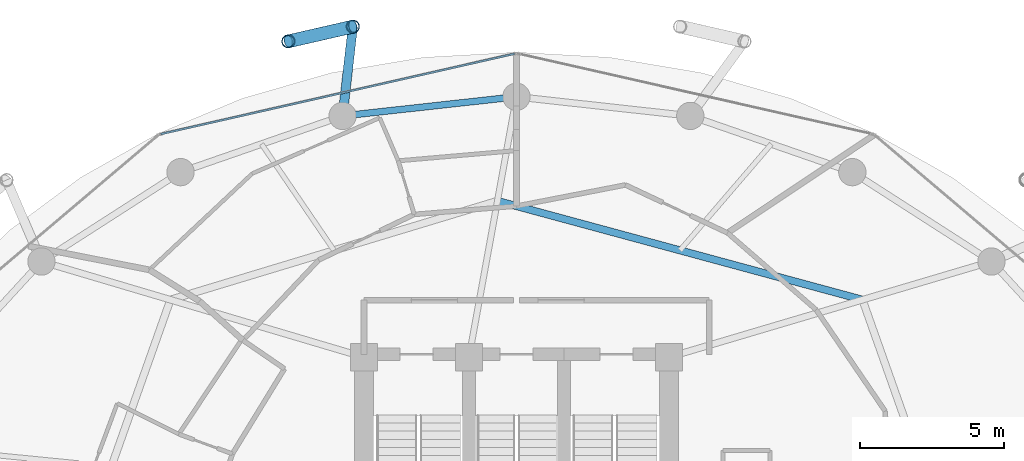
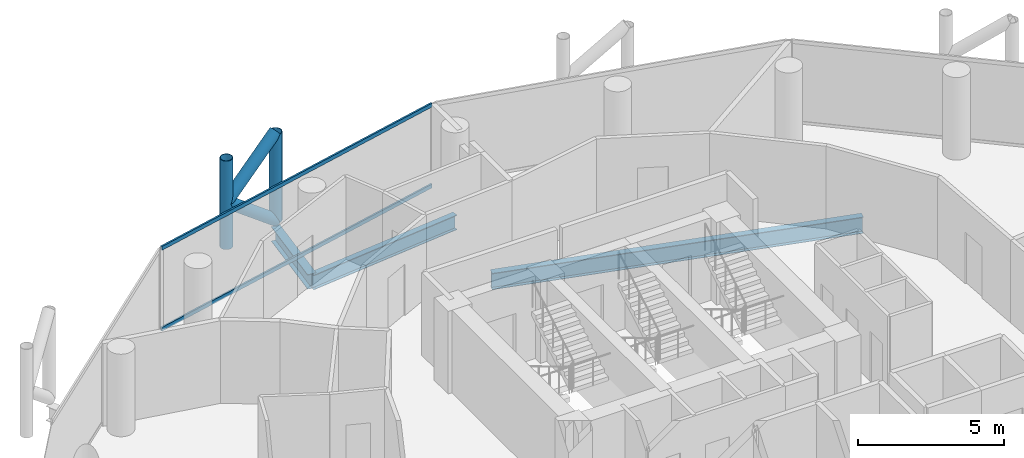
# One storey, part 16 of 26: 6 members, 3 beams, 1 element without a shape of its own.
"""IFC4 building model written with IfcOpenShell, lengths in metres."""

from ifc_helpers import new_model, si_unit, direction, frame, origin, origin_2d, place, context, subcontext, project, spatial, hollow_rectangle, hollow_circle, i_section, extrude, material, layer, layer_set, material_profile, profile_set, type_object, element, aggregate, save


model = new_model("IFC4")

# Units and contexts
model_context = context("Model", 3, precision=1e-05, world=origin(), true_north=direction((0.0, 1.0)))
body_context = subcontext(model_context, "Body", "Model", "MODEL_VIEW")
ifc_project = project(units=[si_unit("LENGTHUNIT", "METRE"), si_unit("AREAUNIT", "SQUARE_METRE"), si_unit("VOLUMEUNIT", "CUBIC_METRE"), si_unit("PLANEANGLEUNIT", "RADIAN"), si_unit("MASSUNIT", "GRAM", prefix="KILO")], contexts=[model_context])

# Site, building, storey
site_placement = place(None, origin())
site = spatial("IfcSite", under=ifc_project, at=site_placement, CompositionType="ELEMENT")
building_placement = place(site_placement, origin())
building = spatial("IfcBuilding", under=site, at=building_placement, Name="Nuhasar Tower", CompositionType="ELEMENT")
storey_placement = place(building_placement, frame((0.0, 0.0, 133.050048828125)))
storey = spatial("IfcBuildingStorey", under=building, at=storey_placement, Name="L31", CompositionType="ELEMENT", Elevation=133.050048828125)

# Beams
ifc_material_1 = material(Name="Steel S355", Category="steel")
ifc_material_profile_1 = material_profile(ifc_material_1, i_section(OverallWidth=0.25390625, OverallDepth=0.68408203125, WebThickness=0.012451171875, FlangeThickness=0.018798828125, at=origin_2d()), Name="W27X94")
ifc_profile_set_1 = profile_set([ifc_material_profile_1], Name="Steel S355")
beam_type_1 = type_object("IfcBeamType", Name="BM-INRING-W27X94", PredefinedType="BEAM", material=ifc_profile_set_1)
beam_1_placement = place(storey_placement, frame((51.027099609375, 39.2939453125, -0.592041015625), z_axis=(-0.96522695776, 0.261413312618, 0.0), x_axis=(-0.261413312618, -0.96522695776, 0.0)))
element("IfcBeam", 1, at=beam_1_placement, inside=storey, type_object=beam_type_1, Name="L31 Inner Header Beam 05", PredefinedType="BEAM", context=body_context, shape_type="SweptSolid", body=[
    extrude(i_section(OverallWidth=0.25390625, OverallDepth=0.68408203125, WebThickness=0.012451171875, FlangeThickness=0.018798828125, at=origin_2d()), origin(), (0.0, 0.0, 1.0), 13.14404296875),
])
ifc_material_profile_2 = material_profile(ifc_material_1, i_section(OverallWidth=0.22998046875, OverallDepth=0.616943359375, WebThickness=0.01318359375, FlangeThickness=0.022216796875, at=origin_2d()), Name="W24X94")
ifc_profile_set_2 = profile_set([ifc_material_profile_2], Name="Steel S355")
beam_type_2 = type_object("IfcBeamType", Name="BM-RING-W24X94", PredefinedType="SPANDREL", material=ifc_profile_set_2)
beam_2_placement = place(storey_placement, frame((39.0, 46.35009765625, -0.55810546875), z_axis=(-0.993981289157, -0.109549974015, 0.0), x_axis=(0.109549974015, -0.993981289157, 0.0)))
element("IfcBeam", 2, at=beam_2_placement, inside=storey, type_object=beam_type_2, Name="L31 Perimeter Ring Spandrel 07", PredefinedType="SPANDREL", context=body_context, shape_type="SweptSolid", body=[
    extrude(i_section(OverallWidth=0.22998046875, OverallDepth=0.616943359375, WebThickness=0.01318359375, FlangeThickness=0.022216796875, at=origin_2d()), origin(), (0.0, 0.0, 1.0), 6.07958984375),
])
ifc_material_profile_3 = material_profile(ifc_material_1, i_section(OverallWidth=0.323974609375, OverallDepth=0.611083984375, WebThickness=0.0126953125, FlangeThickness=0.01904296875, at=origin_2d()), Name="W24X104")
ifc_profile_set_3 = profile_set([ifc_material_profile_3], Name="Steel S355")
beam_type_3 = type_object("IfcBeamType", Name="BM-TIE-W24X104", PredefinedType="BEAM", material=ifc_profile_set_3)
beam_3_placement = place(storey_placement, frame((32.95703125, 45.68408203125, -0.554931640625), z_axis=(0.114167639647, 0.993461499031, 0.0), x_axis=(-0.993461499031, 0.114167639647, 0.0)))
element("IfcBeam", 3, at=beam_3_placement, inside=storey, type_object=beam_type_3, Name="L31 Exoskeleton Node Tie Beam 04", PredefinedType="BEAM", context=body_context, shape_type="SweptSolid", body=[
    extrude(i_section(OverallWidth=0.323974609375, OverallDepth=0.611083984375, WebThickness=0.0126953125, FlangeThickness=0.01904296875, at=origin_2d()), origin(), (0.0, 0.0, 1.0), 3.12646484375),
])

# Curtain wall, members
ifc_material_2 = material(Name="Aluminium 6063-T6", Category="aluminium")
ifc_layer = layer(ifc_material_2, 0.199951171875)
ifc_layer_set = layer_set([ifc_layer], Name="Aluminium 6063-T6")
curtain_wall_type = type_object("IfcCurtainWallType", Name="CW-Z2-HTL", PredefinedType="NOTDEFINED", material=ifc_layer_set)
curtain_wall_placement = place(storey_placement, origin())
curtain_wall = element("IfcCurtainWall", 4, at=curtain_wall_placement, inside=storey, type_object=curtain_wall_type, Name="L31 Unitised Curtain Wall 04", PredefinedType="NOTDEFINED")
ifc_material_profile_4 = material_profile(ifc_material_2, hollow_rectangle(XDim=0.070068359375, YDim=0.159912109375, WallThickness=0.00439453125, at=origin_2d()), Name="CWT-3")
ifc_profile_set_4 = profile_set([ifc_material_profile_4], Name="Aluminium 6063-T6")
member_type_1 = type_object("IfcMemberType", Name="CW-TRN-S3", PredefinedType="USERDEFINED", material=ifc_profile_set_4)
member_1_placement = place(storey_placement, frame((38.931640625, 47.844482421875, 0.034912109375), z_axis=(-0.975183434528, -0.221398439519, 0.0), x_axis=(0.221398439519, -0.975183434528, 0.0)))
member_1 = element("IfcMember", 5, at=member_1_placement, type_object=member_type_1, Name="CW-Z2 transom 1.1", ObjectType="TRANSOM", PredefinedType="USERDEFINED", context=body_context, shape_type="SweptSolid", body=[
    extrude(hollow_rectangle(XDim=0.070068359375, YDim=0.159912109375, WallThickness=0.00439453125, at=origin_2d()), origin(), (0.0, 0.0, 1.0), 12.606201171875),
])
member_2_placement = place(storey_placement, frame((38.931640625, 47.844482421875, 3.4150390625), z_axis=(-0.975183434528, -0.221398439519, 0.0), x_axis=(0.221398439519, -0.975183434528, 0.0)))
member_2 = element("IfcMember", 6, at=member_2_placement, type_object=member_type_1, Name="CW-Z2 transom 1.2", ObjectType="TRANSOM", PredefinedType="USERDEFINED", context=body_context, shape_type="SweptSolid", body=[
    extrude(hollow_rectangle(XDim=0.070068359375, YDim=0.159912109375, WallThickness=0.00439453125, at=origin_2d()), origin(), (0.0, 0.0, 1.0), 12.606201171875),
])
aggregate(curtain_wall, [member_1, member_2])

# Members
ifc_material_3 = material(Name="Steel S460", Category="steel")
ifc_material_profile_5 = material_profile(ifc_material_3, hollow_circle(Radius=0.228515625, WallThickness=0.022216796875, at=origin_2d()), Name="HSS457X22.2")
ifc_profile_set_5 = profile_set([ifc_material_profile_5], Name="Steel S460")
member_type_2 = type_object("IfcMemberType", Name="EXO-BRONZE-457", PredefinedType="BRACE", material=ifc_profile_set_5)
for number, where, z_axis, x_axis, name in (
    (7, (33.31396484375, 48.7900390625, 0.0), (0.0, 0.0, 1.0), (1.0, 0.0, 0.0), "L31 Exoskeleton Chord Column EC-04A"),
    (8, (31.072021484375, 48.27587890625, 0.0), (0.0, 0.0, 1.0), (1.0, 0.0, 0.0), "L31 Exoskeleton Chord Column EC-04B"),
):
    element("IfcMember", number, at=place(storey_placement, frame(where, z_axis=z_axis, x_axis=x_axis)), inside=storey, type_object=member_type_2, Name=name, PredefinedType="BRACE", context=body_context, shape_type="SweptSolid", body=[
        extrude(hollow_circle(Radius=0.228515625, WallThickness=0.022216796875, at=origin_2d()), origin(), (0.0, 0.0, 1.0), 3.699951171875),
    ])
member_3_placement = place(storey_placement, frame((33.31396484375, 48.7900390625, 0.0), z_axis=(-0.759538919781, -0.174190239035, 0.626704388019), x_axis=(0.223533724104, -0.974696195842, 0.0)))
element("IfcMember", 9, at=member_3_placement, inside=storey, type_object=member_type_2, Name="L31 Bronze Diagrid Brace W1-04", PredefinedType="BRACE", context=body_context, shape_type="SweptSolid", body=[
    extrude(hollow_circle(Radius=0.228515625, WallThickness=0.022216796875, at=origin_2d()), origin(), (0.0, 0.0, 1.0), 2.95166015625),
])
member_4_placement = place(storey_placement, frame((31.072021484375, 48.27587890625, 1.849853515625), z_axis=(0.759499549084, 0.174181209885, 0.626754609927), x_axis=(-0.223533724104, 0.974696195842, 0.0)))
element("IfcMember", 10, at=member_4_placement, inside=storey, type_object=member_type_2, Name="L31 Bronze Diagrid Brace W2-04", PredefinedType="BRACE", context=body_context, shape_type="SweptSolid", body=[
    extrude(hollow_circle(Radius=0.228515625, WallThickness=0.022216796875, at=origin_2d()), origin(), (0.0, 0.0, 1.0), 2.951904296875),
])

save(model, "model.ifc")
